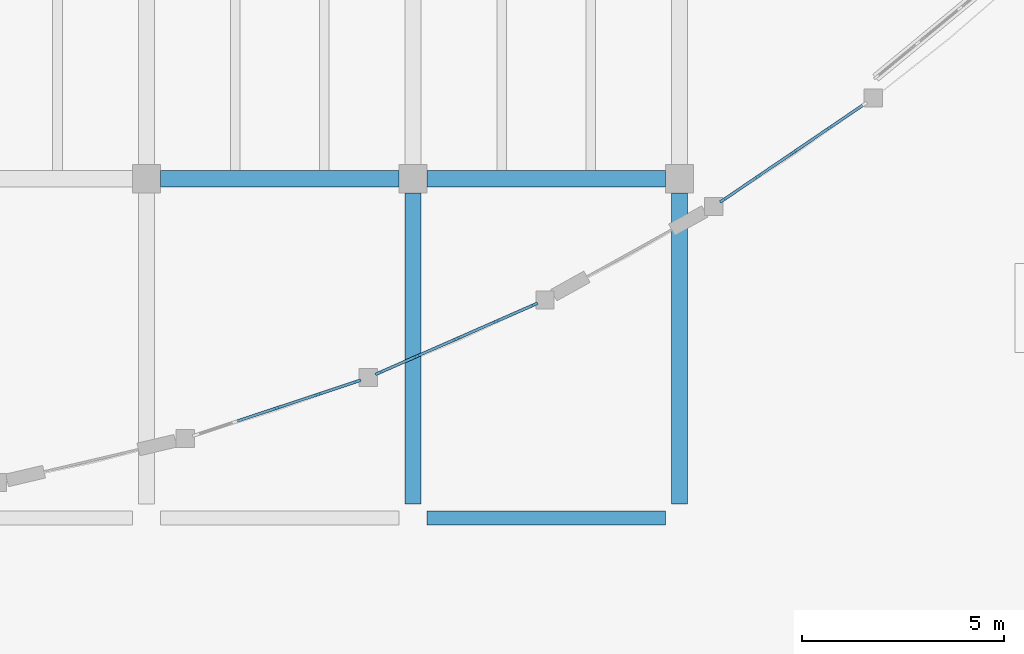
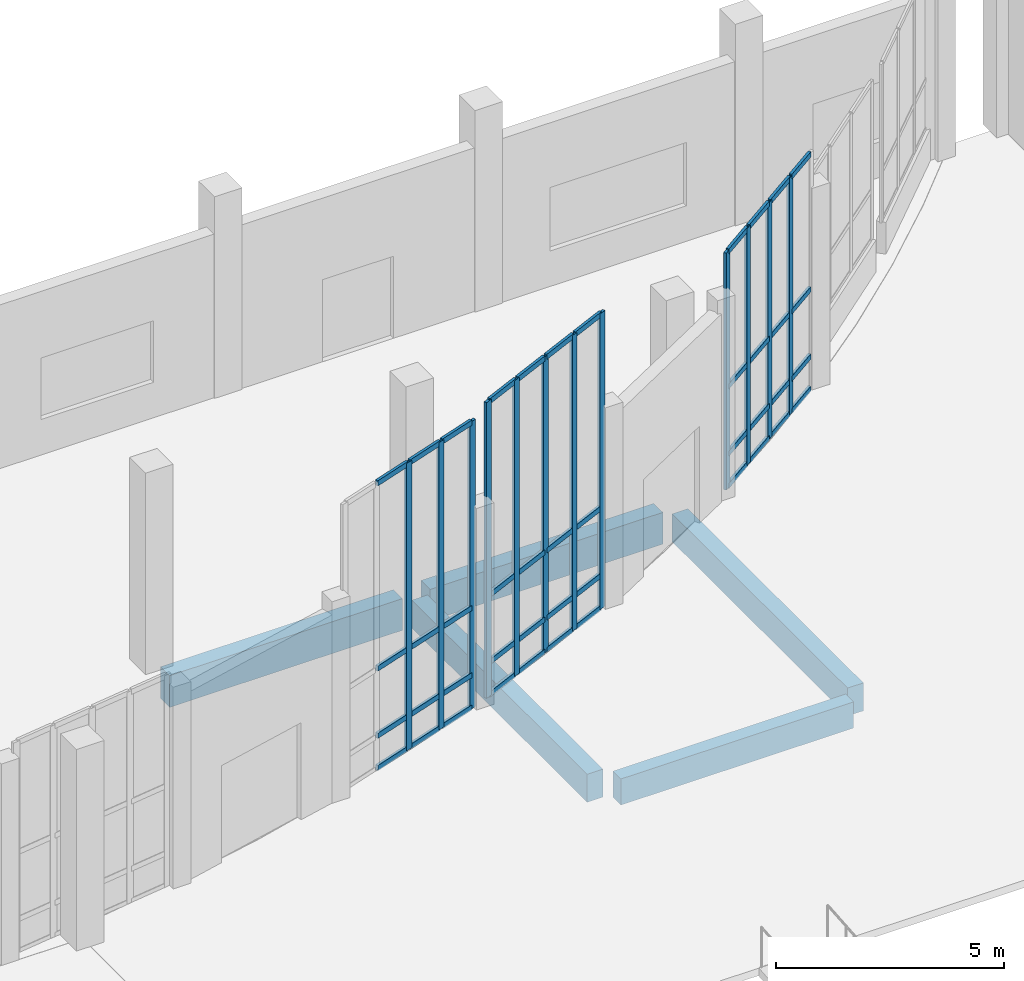
# One storey, part 23 of 64: 56 members, 5 beams, 3 elements without a shape of their own.
"""IFC4 building model written with IfcOpenShell, lengths in metres."""

from ifc_helpers import new_model, si_unit, direction, frame, origin, origin_2d, place, context, subcontext, project, spatial, rectangle, extrude, material, material_profile, profile_set, type_object, element, aggregate, save


model = new_model("IFC4")

# Units and contexts
model_context = context("Model", 3, precision=1e-05, world=origin(), true_north=direction((0.0, 1.0)))
body_context = subcontext(model_context, "Body", "Model", "MODEL_VIEW")
ifc_project = project(units=[si_unit("LENGTHUNIT", "METRE"), si_unit("AREAUNIT", "SQUARE_METRE"), si_unit("VOLUMEUNIT", "CUBIC_METRE"), si_unit("PLANEANGLEUNIT", "RADIAN"), si_unit("MASSUNIT", "GRAM", prefix="KILO")], contexts=[model_context])

# Site, building, storey
site_placement = place(None, origin())
site = spatial("IfcSite", under=ifc_project, at=site_placement, CompositionType="ELEMENT")
building_placement = place(site_placement, origin())
building = spatial("IfcBuilding", under=site, at=building_placement, Name="Qaldarim Faculty of Natural and Applied Sciences", CompositionType="ELEMENT")
storey_placement = place(building_placement, origin())
storey = spatial("IfcBuildingStorey", under=building, at=storey_placement, Name="L00", CompositionType="ELEMENT", Elevation=0.0)

# Beams
ifc_material_1 = material(Name="Concrete C50/60", Category="concrete")
ifc_material_profile_1 = material_profile(ifc_material_1, rectangle(XDim=0.39990234375, YDim=0.75, at=origin_2d()), Name="RC-B400x750")
ifc_profile_set_1 = profile_set([ifc_material_profile_1], Name="Concrete C50/60")
beam_type_1 = type_object("IfcBeamType", Name="LabGirder-RC400x750", PredefinedType="BEAM", material=ifc_profile_set_1)
for number, where, z_axis, x_axis, name in (
    (1, (132.0, 101.14990234375, -0.735107421875), (0.0, 1.0, 0.0), (-1.0, 0.0, 0.0), "Beam RC-B400x750 B01 X21/Y13-Y14"),
    (2, (138.60009765625, 101.14990234375, -0.735107421875), (0.0, 1.0, 0.0), (-1.0, 0.0, 0.0), "Beam RC-B400x750 B01 X22/Y13-Y14"),
):
    element("IfcBeam", number, at=place(storey_placement, frame(where, z_axis=z_axis, x_axis=x_axis)), inside=storey, type_object=beam_type_1, Name=name, PredefinedType="BEAM", context=body_context, shape_type="SweptSolid", body=[
        extrude(rectangle(XDim=0.39990234375, YDim=0.75, at=origin_2d()), origin(), (0.0, 0.0, 1.0), 7.7001953125),
    ])

# Curtain wall, members
ifc_material_2 = material(Name="Anodised aluminium AW-6063", Category="aluminium")
curtain_wall_type = type_object("IfcCurtainWallType", Name="CurtainWallSystem-M1200", PredefinedType="USERDEFINED", material=ifc_material_2)
curtain_wall_1_placement = place(storey_placement, origin())
curtain_wall_1 = element("IfcCurtainWall", 3, at=curtain_wall_1_placement, inside=storey, type_object=curtain_wall_type, Name="Curtain wall CW-PORT-ARCH-3", ObjectType="STICK CURTAIN WALL", PredefinedType="USERDEFINED")
ifc_material_profile_2 = material_profile(ifc_material_2, rectangle(XDim=0.070068359375, YDim=0.179931640625, at=origin_2d()), Name="ALU-M70x180")
ifc_profile_set_2 = profile_set([ifc_material_profile_2], Name="Anodised aluminium AW-6063")
member_type_1 = type_object("IfcMemberType", Name="Mullion-ALU70x180", PredefinedType="MULLION", material=ifc_profile_set_2)
member_1_placement = place(storey_placement, frame((128.625, 103.52001953125, 0.0), z_axis=(0.0, 0.0, 1.0), x_axis=(-0.315533107517, 0.948914568368, 0.0)))
member_1 = element("IfcMember", 4, at=member_1_placement, type_object=member_type_1, Name="Mullion 3 of CW-PORT-ARCH-3", PredefinedType="MULLION", context=body_context, shape_type="SweptSolid", body=[
    extrude(rectangle(XDim=0.070068359375, YDim=0.179931640625, at=origin_2d()), origin(), (0.0, 0.0, 1.0), 7.699951171875),
])
member_2_placement = place(storey_placement, frame((129.639892578125, 103.857421875, 0.0), z_axis=(0.0, 0.0, 1.0), x_axis=(-0.315533107517, 0.948914568368, 0.0)))
member_2 = element("IfcMember", 5, at=member_2_placement, type_object=member_type_1, Name="Mullion 4 of CW-PORT-ARCH-3", PredefinedType="MULLION", context=body_context, shape_type="SweptSolid", body=[
    extrude(rectangle(XDim=0.070068359375, YDim=0.179931640625, at=origin_2d()), origin(), (0.0, 0.0, 1.0), 7.699951171875),
])
member_3_placement = place(storey_placement, frame((130.621826171875, 104.18408203125, 0.0), z_axis=(0.0, 0.0, 1.0), x_axis=(-0.315533107517, 0.948914568368, 0.0)))
member_3 = element("IfcMember", 6, at=member_3_placement, type_object=member_type_1, Name="Mullion 5 of CW-PORT-ARCH-3", PredefinedType="MULLION", context=body_context, shape_type="SweptSolid", body=[
    extrude(rectangle(XDim=0.070068359375, YDim=0.179931640625, at=origin_2d()), origin(), (0.0, 0.0, 1.0), 7.699951171875),
])

curtain_wall_2_placement = place(storey_placement, origin())
curtain_wall_2 = element("IfcCurtainWall", 7, at=curtain_wall_2_placement, inside=storey, type_object=curtain_wall_type, Name="Curtain wall CW-PORT-ARCH-4", ObjectType="STICK CURTAIN WALL", PredefinedType="USERDEFINED")
member_4_placement = place(storey_placement, frame((131.152099609375, 104.38916015625, 0.0), z_axis=(0.0, 0.0, 1.0), x_axis=(-0.402235420704, 0.915536272537, 0.0)))
member_4 = element("IfcMember", 8, at=member_4_placement, type_object=member_type_1, Name="Mullion 1 of CW-PORT-ARCH-4", PredefinedType="MULLION", context=body_context, shape_type="SweptSolid", body=[
    extrude(rectangle(XDim=0.070068359375, YDim=0.179931640625, at=origin_2d()), origin(), (0.0, 0.0, 1.0), 7.925048828125),
])
member_5_placement = place(storey_placement, frame((132.0986328125, 104.804931640625, 0.0), z_axis=(0.0, 0.0, 1.0), x_axis=(-0.402235420704, 0.915536272537, 0.0)))
member_5 = element("IfcMember", 9, at=member_5_placement, type_object=member_type_1, Name="Mullion 2 of CW-PORT-ARCH-4", PredefinedType="MULLION", context=body_context, shape_type="SweptSolid", body=[
    extrude(rectangle(XDim=0.070068359375, YDim=0.179931640625, at=origin_2d()), origin(), (0.0, 0.0, 1.0), 7.925048828125),
])
member_6_placement = place(storey_placement, frame((133.077392578125, 105.235107421875, 0.0), z_axis=(0.0, 0.0, 1.0), x_axis=(-0.402235420704, 0.915536272537, 0.0)))
member_6 = element("IfcMember", 10, at=member_6_placement, type_object=member_type_1, Name="Mullion 3 of CW-PORT-ARCH-4", PredefinedType="MULLION", context=body_context, shape_type="SweptSolid", body=[
    extrude(rectangle(XDim=0.070068359375, YDim=0.179931640625, at=origin_2d()), origin(), (0.0, 0.0, 1.0), 7.925048828125),
])
member_7_placement = place(storey_placement, frame((134.056396484375, 105.6650390625, 0.0), z_axis=(0.0, 0.0, 1.0), x_axis=(-0.402235420704, 0.915536272537, 0.0)))
member_7 = element("IfcMember", 11, at=member_7_placement, type_object=member_type_1, Name="Mullion 4 of CW-PORT-ARCH-4", PredefinedType="MULLION", context=body_context, shape_type="SweptSolid", body=[
    extrude(rectangle(XDim=0.070068359375, YDim=0.179931640625, at=origin_2d()), origin(), (0.0, 0.0, 1.0), 7.925048828125),
])
member_8_placement = place(storey_placement, frame((135.0029296875, 106.080810546875, 0.0), z_axis=(0.0, 0.0, 1.0), x_axis=(-0.402235420704, 0.915536272537, 0.0)))
member_8 = element("IfcMember", 12, at=member_8_placement, type_object=member_type_1, Name="Mullion 5 of CW-PORT-ARCH-4", PredefinedType="MULLION", context=body_context, shape_type="SweptSolid", body=[
    extrude(rectangle(XDim=0.070068359375, YDim=0.179931640625, at=origin_2d()), origin(), (0.0, 0.0, 1.0), 7.925048828125),
])

curtain_wall_3_placement = place(storey_placement, origin())
curtain_wall_3 = element("IfcCurtainWall", 13, at=curtain_wall_3_placement, inside=storey, type_object=curtain_wall_type, Name="Curtain wall CW-PORT-ARCH-6", ObjectType="STICK CURTAIN WALL", PredefinedType="USERDEFINED")
member_9_placement = place(storey_placement, frame((139.678955078125, 108.669677734375, 0.0), z_axis=(0.0, 0.0, 1.0), x_axis=(-0.561953453405, 0.827168855921, 0.0)))
member_9 = element("IfcMember", 14, at=member_9_placement, type_object=member_type_1, Name="Mullion 1 of CW-PORT-ARCH-6", PredefinedType="MULLION", context=body_context, shape_type="SweptSolid", body=[
    extrude(rectangle(XDim=0.070068359375, YDim=0.179931640625, at=origin_2d()), origin(), (0.0, 0.0, 1.0), 6.35009765625),
])
member_10_placement = place(storey_placement, frame((140.534912109375, 109.251220703125, 0.0), z_axis=(0.0, 0.0, 1.0), x_axis=(-0.561953453405, 0.827168855921, 0.0)))
member_10 = element("IfcMember", 15, at=member_10_placement, type_object=member_type_1, Name="Mullion 2 of CW-PORT-ARCH-6", PredefinedType="MULLION", context=body_context, shape_type="SweptSolid", body=[
    extrude(rectangle(XDim=0.070068359375, YDim=0.179931640625, at=origin_2d()), origin(), (0.0, 0.0, 1.0), 6.35009765625),
])
member_11_placement = place(storey_placement, frame((141.419921875, 109.8525390625, 0.0), z_axis=(0.0, 0.0, 1.0), x_axis=(-0.561953453405, 0.827168855921, 0.0)))
member_11 = element("IfcMember", 16, at=member_11_placement, type_object=member_type_1, Name="Mullion 3 of CW-PORT-ARCH-6", PredefinedType="MULLION", context=body_context, shape_type="SweptSolid", body=[
    extrude(rectangle(XDim=0.070068359375, YDim=0.179931640625, at=origin_2d()), origin(), (0.0, 0.0, 1.0), 6.35009765625),
])
member_12_placement = place(storey_placement, frame((142.304931640625, 110.453857421875, 0.0), z_axis=(0.0, 0.0, 1.0), x_axis=(-0.561953453405, 0.827168855921, 0.0)))
member_12 = element("IfcMember", 17, at=member_12_placement, type_object=member_type_1, Name="Mullion 4 of CW-PORT-ARCH-6", PredefinedType="MULLION", context=body_context, shape_type="SweptSolid", body=[
    extrude(rectangle(XDim=0.070068359375, YDim=0.179931640625, at=origin_2d()), origin(), (0.0, 0.0, 1.0), 6.35009765625),
])

# Beams
ifc_material_profile_3 = material_profile(ifc_material_1, rectangle(XDim=0.39990234375, YDim=0.85009765625, at=origin_2d()), Name="RC-B400x850")
ifc_profile_set_3 = profile_set([ifc_material_profile_3], Name="Concrete C50/60")
beam_type_2 = type_object("IfcBeamType", Name="PodiumGirder-RC400x850", PredefinedType="BEAM", material=ifc_profile_set_3)
for number, where, z_axis, x_axis, name in (
    (18, (125.75, 109.199951171875, -0.784912109375), (1.0, 0.0, 0.0), (0.0, 1.0, 0.0), "Beam RC-B400x850 B01 X20-X21/Y14"),
    (19, (132.35009765625, 109.199951171875, -0.784912109375), (1.0, 0.0, 0.0), (0.0, 1.0, 0.0), "Beam RC-B400x850 B01 X21-X22/Y14"),
):
    element("IfcBeam", number, at=place(storey_placement, frame(where, z_axis=z_axis, x_axis=x_axis)), inside=storey, type_object=beam_type_2, Name=name, PredefinedType="BEAM", context=body_context, shape_type="SweptSolid", body=[
        extrude(rectangle(XDim=0.39990234375, YDim=0.85009765625, at=origin_2d()), origin(), (0.0, 0.0, 1.0), 5.89990234375),
    ])
ifc_material_3 = material(Name="Concrete C40/50", Category="concrete")
ifc_material_profile_4 = material_profile(ifc_material_3, rectangle(XDim=0.35009765625, YDim=0.699951171875, at=origin_2d()), Name="RC-B350x700")
ifc_profile_set_4 = profile_set([ifc_material_profile_4], Name="Concrete C40/50")
beam_type_3 = type_object("IfcBeamType", Name="PrimaryGirder-RC350x700", PredefinedType="BEAM", material=ifc_profile_set_4)
beam_placement = place(storey_placement, frame((132.35009765625, 100.800048828125, -0.7099609375), z_axis=(1.0, 0.0, 0.0), x_axis=(0.0, 1.0, 0.0)))
element("IfcBeam", 20, at=beam_placement, inside=storey, type_object=beam_type_3, Name="Beam RC-B350x700 B01 X21-X22/Y13", PredefinedType="BEAM", context=body_context, shape_type="SweptSolid", body=[
    extrude(rectangle(XDim=0.35009765625, YDim=0.699951171875, at=origin_2d()), origin(), (0.0, 0.0, 1.0), 5.89990234375),
])

# Member
ifc_material_profile_5 = material_profile(ifc_material_2, rectangle(XDim=0.070068359375, YDim=0.139892578125, at=origin_2d()), Name="ALU-T70x140")
ifc_profile_set_5 = profile_set([ifc_material_profile_5], Name="Anodised aluminium AW-6063")
member_type_2 = type_object("IfcMemberType", Name="Transom-ALU70x140", PredefinedType="USERDEFINED", material=ifc_profile_set_5)
member_13_placement = place(storey_placement, frame((127.643310546875, 103.193603515625, 0.034912109375), z_axis=(0.948902891902, 0.315568220421, 0.0), x_axis=(-0.315568220421, 0.948902891902, 0.0)))
member_13 = element("IfcMember", 21, at=member_13_placement, type_object=member_type_2, Name="Transom 2-1 of CW-PORT-ARCH-3", ObjectType="TRANSOM", PredefinedType="USERDEFINED", context=body_context, shape_type="SweptSolid", body=[
    extrude(rectangle(XDim=0.070068359375, YDim=0.139892578125, at=origin_2d()), origin(), (0.0, 0.0, 1.0), 0.99951171875),
])

member_14_placement = place(storey_placement, frame((127.643310546875, 103.193603515625, 0.89990234375), z_axis=(0.948902891902, 0.315568220421, 0.0), x_axis=(-0.315568220421, 0.948902891902, 0.0)))
member_14 = element("IfcMember", 22, at=member_14_placement, type_object=member_type_2, Name="Transom 2-2 of CW-PORT-ARCH-3", ObjectType="TRANSOM", PredefinedType="USERDEFINED", context=body_context, shape_type="SweptSolid", body=[
    extrude(rectangle(XDim=0.070068359375, YDim=0.139892578125, at=origin_2d()), origin(), (0.0, 0.0, 1.0), 0.99951171875),
])

member_15_placement = place(storey_placement, frame((127.643310546875, 103.193603515625, 2.699951171875), z_axis=(0.948902891902, 0.315568220421, 0.0), x_axis=(-0.315568220421, 0.948902891902, 0.0)))
member_15 = element("IfcMember", 23, at=member_15_placement, type_object=member_type_2, Name="Transom 2-3 of CW-PORT-ARCH-3", ObjectType="TRANSOM", PredefinedType="USERDEFINED", context=body_context, shape_type="SweptSolid", body=[
    extrude(rectangle(XDim=0.070068359375, YDim=0.139892578125, at=origin_2d()), origin(), (0.0, 0.0, 1.0), 0.99951171875),
])

member_16_placement = place(storey_placement, frame((127.643310546875, 103.193603515625, 7.6650390625), z_axis=(0.948902891902, 0.315568220421, 0.0), x_axis=(-0.315568220421, 0.948902891902, 0.0)))
member_16 = element("IfcMember", 24, at=member_16_placement, type_object=member_type_2, Name="Transom 2-4 of CW-PORT-ARCH-3", ObjectType="TRANSOM", PredefinedType="USERDEFINED", context=body_context, shape_type="SweptSolid", body=[
    extrude(rectangle(XDim=0.070068359375, YDim=0.139892578125, at=origin_2d()), origin(), (0.0, 0.0, 1.0), 0.99951171875),
])

member_17_placement = place(storey_placement, frame((128.658203125, 103.531005859375, 0.034912109375), z_axis=(0.948902891902, 0.315568220421, 0.0), x_axis=(-0.315568220421, 0.948902891902, 0.0)))
member_17 = element("IfcMember", 25, at=member_17_placement, type_object=member_type_2, Name="Transom 3-1 of CW-PORT-ARCH-3", ObjectType="TRANSOM", PredefinedType="USERDEFINED", context=body_context, shape_type="SweptSolid", body=[
    extrude(rectangle(XDim=0.070068359375, YDim=0.139892578125, at=origin_2d()), origin(), (0.0, 0.0, 1.0), 0.99951171875),
])

member_18_placement = place(storey_placement, frame((128.658203125, 103.531005859375, 0.89990234375), z_axis=(0.948902891902, 0.315568220421, 0.0), x_axis=(-0.315568220421, 0.948902891902, 0.0)))
member_18 = element("IfcMember", 26, at=member_18_placement, type_object=member_type_2, Name="Transom 3-2 of CW-PORT-ARCH-3", ObjectType="TRANSOM", PredefinedType="USERDEFINED", context=body_context, shape_type="SweptSolid", body=[
    extrude(rectangle(XDim=0.070068359375, YDim=0.139892578125, at=origin_2d()), origin(), (0.0, 0.0, 1.0), 0.99951171875),
])

member_19_placement = place(storey_placement, frame((128.658203125, 103.531005859375, 2.699951171875), z_axis=(0.948902891902, 0.315568220421, 0.0), x_axis=(-0.315568220421, 0.948902891902, 0.0)))
member_19 = element("IfcMember", 27, at=member_19_placement, type_object=member_type_2, Name="Transom 3-3 of CW-PORT-ARCH-3", ObjectType="TRANSOM", PredefinedType="USERDEFINED", context=body_context, shape_type="SweptSolid", body=[
    extrude(rectangle(XDim=0.070068359375, YDim=0.139892578125, at=origin_2d()), origin(), (0.0, 0.0, 1.0), 0.99951171875),
])

member_20_placement = place(storey_placement, frame((128.658203125, 103.531005859375, 7.6650390625), z_axis=(0.948902891902, 0.315568220421, 0.0), x_axis=(-0.315568220421, 0.948902891902, 0.0)))
member_20 = element("IfcMember", 28, at=member_20_placement, type_object=member_type_2, Name="Transom 3-4 of CW-PORT-ARCH-3", ObjectType="TRANSOM", PredefinedType="USERDEFINED", context=body_context, shape_type="SweptSolid", body=[
    extrude(rectangle(XDim=0.070068359375, YDim=0.139892578125, at=origin_2d()), origin(), (0.0, 0.0, 1.0), 0.99951171875),
])

member_21_placement = place(storey_placement, frame((129.673095703125, 103.868408203125, 0.034912109375), z_axis=(0.948910790624, 0.315544468242, 0.0), x_axis=(-0.315544468242, 0.948910790624, 0.0)))
member_21 = element("IfcMember", 29, at=member_21_placement, type_object=member_type_2, Name="Transom 4-1 of CW-PORT-ARCH-3", ObjectType="TRANSOM", PredefinedType="USERDEFINED", context=body_context, shape_type="SweptSolid", body=[
    extrude(rectangle(XDim=0.070068359375, YDim=0.139892578125, at=origin_2d()), origin(), (0.0, 0.0, 1.0), 0.96484375),
])

member_22_placement = place(storey_placement, frame((129.673095703125, 103.868408203125, 0.89990234375), z_axis=(0.948910790624, 0.315544468242, 0.0), x_axis=(-0.315544468242, 0.948910790624, 0.0)))
member_22 = element("IfcMember", 30, at=member_22_placement, type_object=member_type_2, Name="Transom 4-2 of CW-PORT-ARCH-3", ObjectType="TRANSOM", PredefinedType="USERDEFINED", context=body_context, shape_type="SweptSolid", body=[
    extrude(rectangle(XDim=0.070068359375, YDim=0.139892578125, at=origin_2d()), origin(), (0.0, 0.0, 1.0), 0.96484375),
])

member_23_placement = place(storey_placement, frame((129.673095703125, 103.868408203125, 2.699951171875), z_axis=(0.948910790624, 0.315544468242, 0.0), x_axis=(-0.315544468242, 0.948910790624, 0.0)))
member_23 = element("IfcMember", 31, at=member_23_placement, type_object=member_type_2, Name="Transom 4-3 of CW-PORT-ARCH-3", ObjectType="TRANSOM", PredefinedType="USERDEFINED", context=body_context, shape_type="SweptSolid", body=[
    extrude(rectangle(XDim=0.070068359375, YDim=0.139892578125, at=origin_2d()), origin(), (0.0, 0.0, 1.0), 0.96484375),
])

member_24_placement = place(storey_placement, frame((129.673095703125, 103.868408203125, 7.6650390625), z_axis=(0.948910790624, 0.315544468242, 0.0), x_axis=(-0.315544468242, 0.948910790624, 0.0)))
member_24 = element("IfcMember", 32, at=member_24_placement, type_object=member_type_2, Name="Transom 4-4 of CW-PORT-ARCH-3", ObjectType="TRANSOM", PredefinedType="USERDEFINED", context=body_context, shape_type="SweptSolid", body=[
    extrude(rectangle(XDim=0.070068359375, YDim=0.139892578125, at=origin_2d()), origin(), (0.0, 0.0, 1.0), 0.96484375),
])

aggregate(curtain_wall_1, [member_1, member_2, member_3, member_13, member_14, member_15, member_16, member_17, member_18, member_19, member_20, member_21, member_22, member_23, member_24])

member_25_placement = place(storey_placement, frame((131.18408203125, 104.4033203125, 0.034912109375), z_axis=(0.915557607976, 0.402186855177, 0.0), x_axis=(-0.402186855177, 0.915557607976, 0.0)))
member_25 = element("IfcMember", 33, at=member_25_placement, type_object=member_type_2, Name="Transom 1-1 of CW-PORT-ARCH-4", ObjectType="TRANSOM", PredefinedType="USERDEFINED", context=body_context, shape_type="SweptSolid", body=[
    extrude(rectangle(XDim=0.070068359375, YDim=0.139892578125, at=origin_2d()), origin(), (0.0, 0.0, 1.0), 0.9638671875),
])

member_26_placement = place(storey_placement, frame((131.18408203125, 104.4033203125, 0.89990234375), z_axis=(0.915557607976, 0.402186855177, 0.0), x_axis=(-0.402186855177, 0.915557607976, 0.0)))
member_26 = element("IfcMember", 34, at=member_26_placement, type_object=member_type_2, Name="Transom 1-2 of CW-PORT-ARCH-4", ObjectType="TRANSOM", PredefinedType="USERDEFINED", context=body_context, shape_type="SweptSolid", body=[
    extrude(rectangle(XDim=0.070068359375, YDim=0.139892578125, at=origin_2d()), origin(), (0.0, 0.0, 1.0), 0.9638671875),
])

member_27_placement = place(storey_placement, frame((131.18408203125, 104.4033203125, 2.699951171875), z_axis=(0.915557607976, 0.402186855177, 0.0), x_axis=(-0.402186855177, 0.915557607976, 0.0)))
member_27 = element("IfcMember", 35, at=member_27_placement, type_object=member_type_2, Name="Transom 1-3 of CW-PORT-ARCH-4", ObjectType="TRANSOM", PredefinedType="USERDEFINED", context=body_context, shape_type="SweptSolid", body=[
    extrude(rectangle(XDim=0.070068359375, YDim=0.139892578125, at=origin_2d()), origin(), (0.0, 0.0, 1.0), 0.9638671875),
])

member_28_placement = place(storey_placement, frame((131.18408203125, 104.4033203125, 7.889892578125), z_axis=(0.915557607976, 0.402186855177, 0.0), x_axis=(-0.402186855177, 0.915557607976, 0.0)))
member_28 = element("IfcMember", 36, at=member_28_placement, type_object=member_type_2, Name="Transom 1-4 of CW-PORT-ARCH-4", ObjectType="TRANSOM", PredefinedType="USERDEFINED", context=body_context, shape_type="SweptSolid", body=[
    extrude(rectangle(XDim=0.070068359375, YDim=0.139892578125, at=origin_2d()), origin(), (0.0, 0.0, 1.0), 0.9638671875),
])

member_29_placement = place(storey_placement, frame((132.130859375, 104.819091796875, 0.034912109375), z_axis=(0.915516726445, 0.402279907029, 0.0), x_axis=(-0.402279907029, 0.915516726445, 0.0)))
member_29 = element("IfcMember", 37, at=member_29_placement, type_object=member_type_2, Name="Transom 2-1 of CW-PORT-ARCH-4", ObjectType="TRANSOM", PredefinedType="USERDEFINED", context=body_context, shape_type="SweptSolid", body=[
    extrude(rectangle(XDim=0.070068359375, YDim=0.139892578125, at=origin_2d()), origin(), (0.0, 0.0, 1.0), 0.9990234375),
])

member_30_placement = place(storey_placement, frame((132.130859375, 104.819091796875, 0.89990234375), z_axis=(0.915516726445, 0.402279907029, 0.0), x_axis=(-0.402279907029, 0.915516726445, 0.0)))
member_30 = element("IfcMember", 38, at=member_30_placement, type_object=member_type_2, Name="Transom 2-2 of CW-PORT-ARCH-4", ObjectType="TRANSOM", PredefinedType="USERDEFINED", context=body_context, shape_type="SweptSolid", body=[
    extrude(rectangle(XDim=0.070068359375, YDim=0.139892578125, at=origin_2d()), origin(), (0.0, 0.0, 1.0), 0.9990234375),
])

member_31_placement = place(storey_placement, frame((132.130859375, 104.819091796875, 2.699951171875), z_axis=(0.915516726445, 0.402279907029, 0.0), x_axis=(-0.402279907029, 0.915516726445, 0.0)))
member_31 = element("IfcMember", 39, at=member_31_placement, type_object=member_type_2, Name="Transom 2-3 of CW-PORT-ARCH-4", ObjectType="TRANSOM", PredefinedType="USERDEFINED", context=body_context, shape_type="SweptSolid", body=[
    extrude(rectangle(XDim=0.070068359375, YDim=0.139892578125, at=origin_2d()), origin(), (0.0, 0.0, 1.0), 0.9990234375),
])

member_32_placement = place(storey_placement, frame((132.130859375, 104.819091796875, 7.889892578125), z_axis=(0.915516726445, 0.402279907029, 0.0), x_axis=(-0.402279907029, 0.915516726445, 0.0)))
member_32 = element("IfcMember", 40, at=member_32_placement, type_object=member_type_2, Name="Transom 2-4 of CW-PORT-ARCH-4", ObjectType="TRANSOM", PredefinedType="USERDEFINED", context=body_context, shape_type="SweptSolid", body=[
    extrude(rectangle(XDim=0.070068359375, YDim=0.139892578125, at=origin_2d()), origin(), (0.0, 0.0, 1.0), 0.9990234375),
])

member_33_placement = place(storey_placement, frame((133.109619140625, 105.2490234375, 0.034912109375), z_axis=(0.915516726445, 0.402279907029, 0.0), x_axis=(-0.402279907029, 0.915516726445, 0.0)))
member_33 = element("IfcMember", 41, at=member_33_placement, type_object=member_type_2, Name="Transom 3-1 of CW-PORT-ARCH-4", ObjectType="TRANSOM", PredefinedType="USERDEFINED", context=body_context, shape_type="SweptSolid", body=[
    extrude(rectangle(XDim=0.070068359375, YDim=0.139892578125, at=origin_2d()), origin(), (0.0, 0.0, 1.0), 0.9990234375),
])

member_34_placement = place(storey_placement, frame((133.109619140625, 105.2490234375, 0.89990234375), z_axis=(0.915516726445, 0.402279907029, 0.0), x_axis=(-0.402279907029, 0.915516726445, 0.0)))
member_34 = element("IfcMember", 42, at=member_34_placement, type_object=member_type_2, Name="Transom 3-2 of CW-PORT-ARCH-4", ObjectType="TRANSOM", PredefinedType="USERDEFINED", context=body_context, shape_type="SweptSolid", body=[
    extrude(rectangle(XDim=0.070068359375, YDim=0.139892578125, at=origin_2d()), origin(), (0.0, 0.0, 1.0), 0.9990234375),
])

member_35_placement = place(storey_placement, frame((133.109619140625, 105.2490234375, 2.699951171875), z_axis=(0.915516726445, 0.402279907029, 0.0), x_axis=(-0.402279907029, 0.915516726445, 0.0)))
member_35 = element("IfcMember", 43, at=member_35_placement, type_object=member_type_2, Name="Transom 3-3 of CW-PORT-ARCH-4", ObjectType="TRANSOM", PredefinedType="USERDEFINED", context=body_context, shape_type="SweptSolid", body=[
    extrude(rectangle(XDim=0.070068359375, YDim=0.139892578125, at=origin_2d()), origin(), (0.0, 0.0, 1.0), 0.9990234375),
])

member_36_placement = place(storey_placement, frame((133.109619140625, 105.2490234375, 7.889892578125), z_axis=(0.915516726445, 0.402279907029, 0.0), x_axis=(-0.402279907029, 0.915516726445, 0.0)))
member_36 = element("IfcMember", 44, at=member_36_placement, type_object=member_type_2, Name="Transom 3-4 of CW-PORT-ARCH-4", ObjectType="TRANSOM", PredefinedType="USERDEFINED", context=body_context, shape_type="SweptSolid", body=[
    extrude(rectangle(XDim=0.070068359375, YDim=0.139892578125, at=origin_2d()), origin(), (0.0, 0.0, 1.0), 0.9990234375),
])

member_37_placement = place(storey_placement, frame((134.08837890625, 105.67919921875, 0.034912109375), z_axis=(0.915557607976, 0.402186855177, 0.0), x_axis=(-0.402186855177, 0.915557607976, 0.0)))
member_37 = element("IfcMember", 45, at=member_37_placement, type_object=member_type_2, Name="Transom 4-1 of CW-PORT-ARCH-4", ObjectType="TRANSOM", PredefinedType="USERDEFINED", context=body_context, shape_type="SweptSolid", body=[
    extrude(rectangle(XDim=0.070068359375, YDim=0.139892578125, at=origin_2d()), origin(), (0.0, 0.0, 1.0), 0.9638671875),
])

member_38_placement = place(storey_placement, frame((134.08837890625, 105.67919921875, 0.89990234375), z_axis=(0.915557607976, 0.402186855177, 0.0), x_axis=(-0.402186855177, 0.915557607976, 0.0)))
member_38 = element("IfcMember", 46, at=member_38_placement, type_object=member_type_2, Name="Transom 4-2 of CW-PORT-ARCH-4", ObjectType="TRANSOM", PredefinedType="USERDEFINED", context=body_context, shape_type="SweptSolid", body=[
    extrude(rectangle(XDim=0.070068359375, YDim=0.139892578125, at=origin_2d()), origin(), (0.0, 0.0, 1.0), 0.9638671875),
])

member_39_placement = place(storey_placement, frame((134.08837890625, 105.67919921875, 2.699951171875), z_axis=(0.915557607976, 0.402186855177, 0.0), x_axis=(-0.402186855177, 0.915557607976, 0.0)))
member_39 = element("IfcMember", 47, at=member_39_placement, type_object=member_type_2, Name="Transom 4-3 of CW-PORT-ARCH-4", ObjectType="TRANSOM", PredefinedType="USERDEFINED", context=body_context, shape_type="SweptSolid", body=[
    extrude(rectangle(XDim=0.070068359375, YDim=0.139892578125, at=origin_2d()), origin(), (0.0, 0.0, 1.0), 0.9638671875),
])

member_40_placement = place(storey_placement, frame((134.08837890625, 105.67919921875, 7.889892578125), z_axis=(0.915557607976, 0.402186855177, 0.0), x_axis=(-0.402186855177, 0.915557607976, 0.0)))
member_40 = element("IfcMember", 48, at=member_40_placement, type_object=member_type_2, Name="Transom 4-4 of CW-PORT-ARCH-4", ObjectType="TRANSOM", PredefinedType="USERDEFINED", context=body_context, shape_type="SweptSolid", body=[
    extrude(rectangle(XDim=0.070068359375, YDim=0.139892578125, at=origin_2d()), origin(), (0.0, 0.0, 1.0), 0.9638671875),
])

aggregate(curtain_wall_2, [member_4, member_5, member_6, member_7, member_8, member_25, member_26, member_27, member_28, member_29, member_30, member_31, member_32, member_33, member_34, member_35, member_36, member_37, member_38, member_39, member_40])

member_41_placement = place(storey_placement, frame((139.7080078125, 108.689208984375, 0.034912109375), z_axis=(0.82703471469, 0.562150852261, 0.0), x_axis=(-0.562150852261, 0.82703471469, 0.0)))
member_41 = element("IfcMember", 49, at=member_41_placement, type_object=member_type_2, Name="Transom 1-1 of CW-PORT-ARCH-6", ObjectType="TRANSOM", PredefinedType="USERDEFINED", context=body_context, shape_type="SweptSolid", body=[
    extrude(rectangle(XDim=0.070068359375, YDim=0.139892578125, at=origin_2d()), origin(), (0.0, 0.0, 1.0), 0.965087890625),
])

member_42_placement = place(storey_placement, frame((139.7080078125, 108.689208984375, 0.89990234375), z_axis=(0.82703471469, 0.562150852261, 0.0), x_axis=(-0.562150852261, 0.82703471469, 0.0)))
member_42 = element("IfcMember", 50, at=member_42_placement, type_object=member_type_2, Name="Transom 1-2 of CW-PORT-ARCH-6", ObjectType="TRANSOM", PredefinedType="USERDEFINED", context=body_context, shape_type="SweptSolid", body=[
    extrude(rectangle(XDim=0.070068359375, YDim=0.139892578125, at=origin_2d()), origin(), (0.0, 0.0, 1.0), 0.965087890625),
])

member_43_placement = place(storey_placement, frame((139.7080078125, 108.689208984375, 2.699951171875), z_axis=(0.82703471469, 0.562150852261, 0.0), x_axis=(-0.562150852261, 0.82703471469, 0.0)))
member_43 = element("IfcMember", 51, at=member_43_placement, type_object=member_type_2, Name="Transom 1-3 of CW-PORT-ARCH-6", ObjectType="TRANSOM", PredefinedType="USERDEFINED", context=body_context, shape_type="SweptSolid", body=[
    extrude(rectangle(XDim=0.070068359375, YDim=0.139892578125, at=origin_2d()), origin(), (0.0, 0.0, 1.0), 0.965087890625),
])

member_44_placement = place(storey_placement, frame((139.7080078125, 108.689208984375, 6.31494140625), z_axis=(0.82703471469, 0.562150852261, 0.0), x_axis=(-0.562150852261, 0.82703471469, 0.0)))
member_44 = element("IfcMember", 52, at=member_44_placement, type_object=member_type_2, Name="Transom 1-4 of CW-PORT-ARCH-6", ObjectType="TRANSOM", PredefinedType="USERDEFINED", context=body_context, shape_type="SweptSolid", body=[
    extrude(rectangle(XDim=0.070068359375, YDim=0.139892578125, at=origin_2d()), origin(), (0.0, 0.0, 1.0), 0.965087890625),
])

member_45_placement = place(storey_placement, frame((140.56396484375, 109.27099609375, 0.034912109375), z_axis=(0.827248809762, 0.561835747126, 0.0), x_axis=(-0.561835747126, 0.827248809762, 0.0)))
member_45 = element("IfcMember", 53, at=member_45_placement, type_object=member_type_2, Name="Transom 2-1 of CW-PORT-ARCH-6", ObjectType="TRANSOM", PredefinedType="USERDEFINED", context=body_context, shape_type="SweptSolid", body=[
    extrude(rectangle(XDim=0.070068359375, YDim=0.139892578125, at=origin_2d()), origin(), (0.0, 0.0, 1.0), 1.0),
])

member_46_placement = place(storey_placement, frame((140.56396484375, 109.27099609375, 0.89990234375), z_axis=(0.827248809762, 0.561835747126, 0.0), x_axis=(-0.561835747126, 0.827248809762, 0.0)))
member_46 = element("IfcMember", 54, at=member_46_placement, type_object=member_type_2, Name="Transom 2-2 of CW-PORT-ARCH-6", ObjectType="TRANSOM", PredefinedType="USERDEFINED", context=body_context, shape_type="SweptSolid", body=[
    extrude(rectangle(XDim=0.070068359375, YDim=0.139892578125, at=origin_2d()), origin(), (0.0, 0.0, 1.0), 1.0),
])

member_47_placement = place(storey_placement, frame((140.56396484375, 109.27099609375, 2.699951171875), z_axis=(0.827248809762, 0.561835747126, 0.0), x_axis=(-0.561835747126, 0.827248809762, 0.0)))
member_47 = element("IfcMember", 55, at=member_47_placement, type_object=member_type_2, Name="Transom 2-3 of CW-PORT-ARCH-6", ObjectType="TRANSOM", PredefinedType="USERDEFINED", context=body_context, shape_type="SweptSolid", body=[
    extrude(rectangle(XDim=0.070068359375, YDim=0.139892578125, at=origin_2d()), origin(), (0.0, 0.0, 1.0), 1.0),
])

member_48_placement = place(storey_placement, frame((140.56396484375, 109.27099609375, 6.31494140625), z_axis=(0.827248809762, 0.561835747126, 0.0), x_axis=(-0.561835747126, 0.827248809762, 0.0)))
member_48 = element("IfcMember", 56, at=member_48_placement, type_object=member_type_2, Name="Transom 2-4 of CW-PORT-ARCH-6", ObjectType="TRANSOM", PredefinedType="USERDEFINED", context=body_context, shape_type="SweptSolid", body=[
    extrude(rectangle(XDim=0.070068359375, YDim=0.139892578125, at=origin_2d()), origin(), (0.0, 0.0, 1.0), 1.0),
])

member_49_placement = place(storey_placement, frame((141.448974609375, 109.872314453125, 0.034912109375), z_axis=(0.827171711767, 0.561949249712, 0.0), x_axis=(-0.561949249712, 0.827171711767, 0.0)))
member_49 = element("IfcMember", 57, at=member_49_placement, type_object=member_type_2, Name="Transom 3-1 of CW-PORT-ARCH-6", ObjectType="TRANSOM", PredefinedType="USERDEFINED", context=body_context, shape_type="SweptSolid", body=[
    extrude(rectangle(XDim=0.070068359375, YDim=0.139892578125, at=origin_2d()), origin(), (0.0, 0.0, 1.0), 0.999755859375),
])

member_50_placement = place(storey_placement, frame((141.448974609375, 109.872314453125, 0.89990234375), z_axis=(0.827171711767, 0.561949249712, 0.0), x_axis=(-0.561949249712, 0.827171711767, 0.0)))
member_50 = element("IfcMember", 58, at=member_50_placement, type_object=member_type_2, Name="Transom 3-2 of CW-PORT-ARCH-6", ObjectType="TRANSOM", PredefinedType="USERDEFINED", context=body_context, shape_type="SweptSolid", body=[
    extrude(rectangle(XDim=0.070068359375, YDim=0.139892578125, at=origin_2d()), origin(), (0.0, 0.0, 1.0), 0.999755859375),
])

member_51_placement = place(storey_placement, frame((141.448974609375, 109.872314453125, 2.699951171875), z_axis=(0.827171711767, 0.561949249712, 0.0), x_axis=(-0.561949249712, 0.827171711767, 0.0)))
member_51 = element("IfcMember", 59, at=member_51_placement, type_object=member_type_2, Name="Transom 3-3 of CW-PORT-ARCH-6", ObjectType="TRANSOM", PredefinedType="USERDEFINED", context=body_context, shape_type="SweptSolid", body=[
    extrude(rectangle(XDim=0.070068359375, YDim=0.139892578125, at=origin_2d()), origin(), (0.0, 0.0, 1.0), 0.999755859375),
])

member_52_placement = place(storey_placement, frame((141.448974609375, 109.872314453125, 6.31494140625), z_axis=(0.827171711767, 0.561949249712, 0.0), x_axis=(-0.561949249712, 0.827171711767, 0.0)))
member_52 = element("IfcMember", 60, at=member_52_placement, type_object=member_type_2, Name="Transom 3-4 of CW-PORT-ARCH-6", ObjectType="TRANSOM", PredefinedType="USERDEFINED", context=body_context, shape_type="SweptSolid", body=[
    extrude(rectangle(XDim=0.070068359375, YDim=0.139892578125, at=origin_2d()), origin(), (0.0, 0.0, 1.0), 0.999755859375),
])

member_53_placement = place(storey_placement, frame((142.333984375, 110.473388671875, 0.034912109375), z_axis=(0.827152334462, 0.561977771441, 0.0), x_axis=(-0.561977771441, 0.827152334462, 0.0)))
member_53 = element("IfcMember", 61, at=member_53_placement, type_object=member_type_2, Name="Transom 4-1 of CW-PORT-ARCH-6", ObjectType="TRANSOM", PredefinedType="USERDEFINED", context=body_context, shape_type="SweptSolid", body=[
    extrude(rectangle(XDim=0.070068359375, YDim=0.139892578125, at=origin_2d()), origin(), (0.0, 0.0, 1.0), 0.96484375),
])

member_54_placement = place(storey_placement, frame((142.333984375, 110.473388671875, 0.89990234375), z_axis=(0.827152334462, 0.561977771441, 0.0), x_axis=(-0.561977771441, 0.827152334462, 0.0)))
member_54 = element("IfcMember", 62, at=member_54_placement, type_object=member_type_2, Name="Transom 4-2 of CW-PORT-ARCH-6", ObjectType="TRANSOM", PredefinedType="USERDEFINED", context=body_context, shape_type="SweptSolid", body=[
    extrude(rectangle(XDim=0.070068359375, YDim=0.139892578125, at=origin_2d()), origin(), (0.0, 0.0, 1.0), 0.96484375),
])

member_55_placement = place(storey_placement, frame((142.333984375, 110.473388671875, 2.699951171875), z_axis=(0.827152334462, 0.561977771441, 0.0), x_axis=(-0.561977771441, 0.827152334462, 0.0)))
member_55 = element("IfcMember", 63, at=member_55_placement, type_object=member_type_2, Name="Transom 4-3 of CW-PORT-ARCH-6", ObjectType="TRANSOM", PredefinedType="USERDEFINED", context=body_context, shape_type="SweptSolid", body=[
    extrude(rectangle(XDim=0.070068359375, YDim=0.139892578125, at=origin_2d()), origin(), (0.0, 0.0, 1.0), 0.96484375),
])

member_56_placement = place(storey_placement, frame((142.333984375, 110.473388671875, 6.31494140625), z_axis=(0.827152334462, 0.561977771441, 0.0), x_axis=(-0.561977771441, 0.827152334462, 0.0)))
member_56 = element("IfcMember", 64, at=member_56_placement, type_object=member_type_2, Name="Transom 4-4 of CW-PORT-ARCH-6", ObjectType="TRANSOM", PredefinedType="USERDEFINED", context=body_context, shape_type="SweptSolid", body=[
    extrude(rectangle(XDim=0.070068359375, YDim=0.139892578125, at=origin_2d()), origin(), (0.0, 0.0, 1.0), 0.96484375),
])

aggregate(curtain_wall_3, [member_9, member_10, member_11, member_12, member_41, member_42, member_43, member_44, member_45, member_46, member_47, member_48, member_49, member_50, member_51, member_52, member_53, member_54, member_55, member_56])

save(model, "model.ifc")
